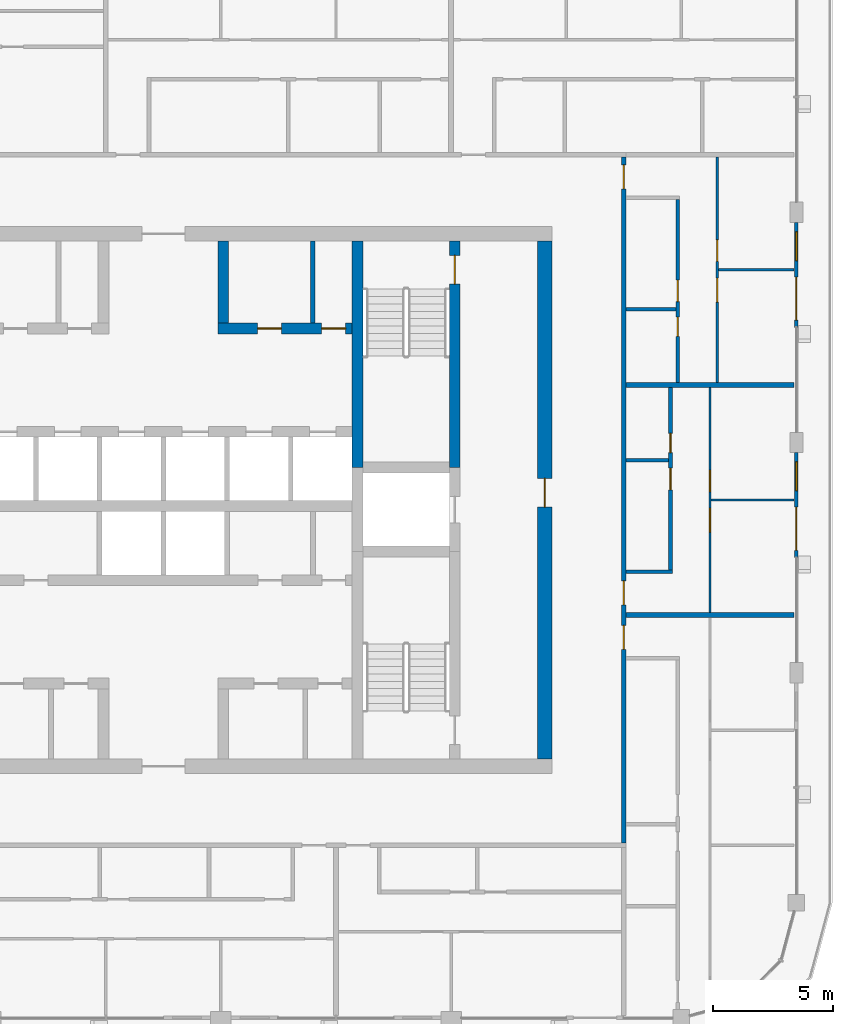
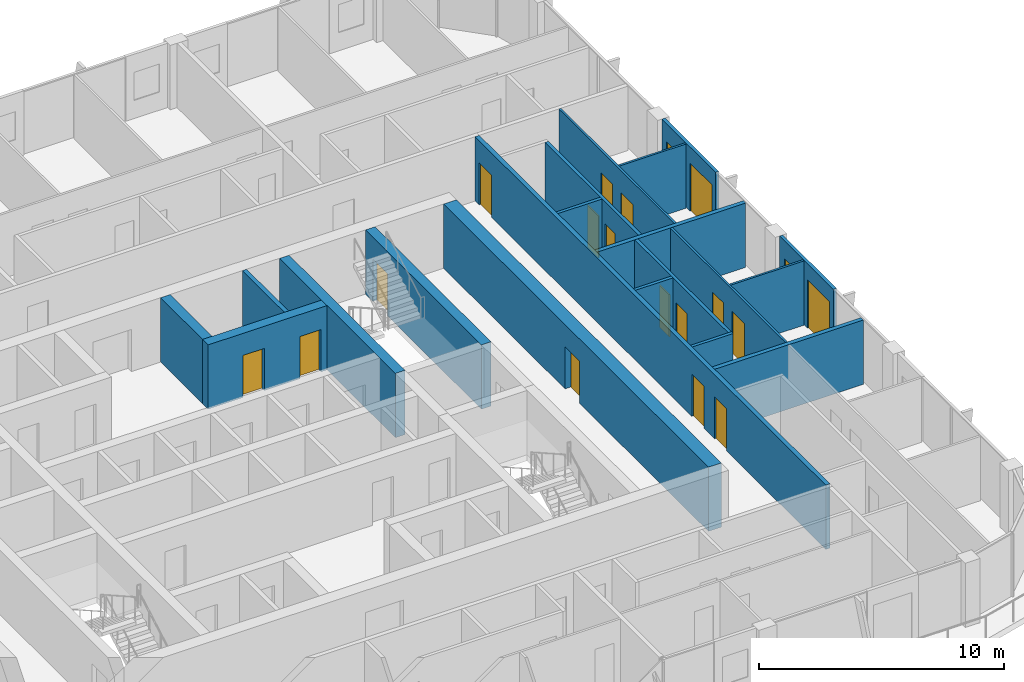
# One storey, part 13 of 22: 20 walls, 17 doors, 2 windows, 19 openings.
"""IFC4 building model written with IfcOpenShell, lengths in metres."""

from ifc_helpers import new_model, si_unit, direction, frame, frame_2d, origin, place, context, subcontext, project, spatial, rectangle, extrude, material, layer, layer_set, type_object, element, fill, save


model = new_model("IFC4")

# Units and contexts
model_context = context("Model", 3, precision=1e-05, world=origin(), true_north=direction((0.0, 1.0)))
body_context = subcontext(model_context, "Body", "Model", "MODEL_VIEW")
ifc_project = project(units=[si_unit("LENGTHUNIT", "METRE"), si_unit("AREAUNIT", "SQUARE_METRE"), si_unit("VOLUMEUNIT", "CUBIC_METRE"), si_unit("PLANEANGLEUNIT", "RADIAN"), si_unit("MASSUNIT", "GRAM", prefix="KILO")], contexts=[model_context])

# Site, building, storey
site_placement = place(None, origin())
site = spatial("IfcSite", under=ifc_project, at=site_placement, CompositionType="ELEMENT")
building_placement = place(site_placement, origin())
building = spatial("IfcBuilding", under=site, at=building_placement, Name="Madar Terraces", CompositionType="ELEMENT")
storey_placement = place(building_placement, frame((0.0, 0.0, 249.199951171875)))
storey = spatial("IfcBuildingStorey", under=building, at=storey_placement, Name="L65", CompositionType="ELEMENT", Elevation=249.199951171875)

# Wall
ifc_material_1 = material(Name="Concrete C55/67", Category="concrete")
ifc_layer_1 = layer(ifc_material_1, 0.449951171875)
ifc_layer_set_1 = layer_set([ifc_layer_1], Name="Concrete C55/67 (CIW5 RC wall 450)")
wall_type_1 = type_object("IfcWallType", Name="CIW5 RC wall 450", PredefinedType="SHEAR", material=ifc_layer_set_1)
wall_1_placement = place(storey_placement, frame((39.300048828125, 27.75, 0.0), z_axis=(0.0, 0.0, 1.0), x_axis=(0.0, 1.0, 0.0)))
element("IfcWall", 1, at=wall_1_placement, inside=storey, type_object=wall_type_1, Name="CORE SHAFT WALL", PredefinedType="SHEAR", context=body_context, shape_type="SweptSolid", body=[
    extrude(rectangle(XDim=9.449951171875, YDim=0.449951171875, at=frame_2d((4.72509765625, 0.0))), origin(), (0.0, 0.0, 1.0), 3.199951171875),
])

# Wall, opening, door
wall_2_placement = place(storey_placement, frame((43.35009765625, 27.75, 0.0), z_axis=(0.0, 0.0, 1.0), x_axis=(0.0, 1.0, 0.0)))
wall_2 = element("IfcWall", 2, at=wall_2_placement, inside=storey, type_object=wall_type_1, Name="CORE SHAFT WALL", PredefinedType="SHEAR", context=body_context, shape_type="SweptSolid", body=[
    extrude(rectangle(XDim=9.449951171875, YDim=0.449951171875, at=frame_2d((4.72509765625, 0.0))), origin(), (0.0, 0.0, 1.0), 3.199951171875),
])
opening_1_placement = place(wall_2_placement, frame((7.64990234375, 0.0, 0.0)))
opening_1 = element("IfcOpeningElement", 3, at=opening_1_placement, cuts=wall_2, Name="Opening SD1", PredefinedType="OPENING", context=body_context, shape_type="SweptSolid", body=[
    extrude(rectangle(XDim=1.199951171875, YDim=2.10009765625, at=frame_2d((0.60009765625, 1.050048828125))), frame((0.0, 0.23486328125, 0.0), z_axis=(0.0, -1.0, 0.0), x_axis=(1.0, 0.0, 0.0)), (0.0, 0.0, 1.0), 0.469970703125),
])
ifc_material_2 = material(Name="Steel door leaf", Category="steel")
door_type_1 = type_object("IfcDoorType", Name="Stair door 1200 x 2100", OperationType="NOTDEFINED", PredefinedType="DOOR", material=ifc_material_2)
door_1_placement = place(opening_1_placement, origin())
door_1 = element("IfcDoor", 4, at=door_1_placement, inside=storey, type_object=door_type_1, Name="STAIR DOOR", OperationType="SINGLE_SWING_LEFT", OverallHeight=2.10009765625, OverallWidth=1.199951171875, PredefinedType="DOOR", context=body_context, shape_type="SweptSolid", body=[
    extrude(rectangle(XDim=1.199951171875, YDim=2.10009765625, at=frame_2d((0.60009765625, 1.050048828125))), frame((0.0, 0.02490234375, 0.0), z_axis=(0.0, -1.0, 0.0), x_axis=(1.0, 0.0, 0.0)), (0.0, 0.0, 1.0), 0.050048828125),
])
fill(opening_1, door_1)

# Wall, openings, doors
wall_3_placement = place(storey_placement, frame((33.47509765625, 33.550048828125, 0.0), z_axis=(0.0, 0.0, 1.0), x_axis=(1.0, 0.0, 0.0)))
wall_3 = element("IfcWall", 5, at=wall_3_placement, inside=storey, type_object=wall_type_1, Name="CORE SHAFT WALL", PredefinedType="SHEAR", context=body_context, shape_type="SweptSolid", body=[
    extrude(rectangle(XDim=5.599853515625, YDim=0.449951171875, at=frame_2d((2.7998046875, 0.0))), origin(), (0.0, 0.0, 1.0), 3.199951171875),
])
opening_2_placement = place(wall_3_placement, frame((1.65087890625, 0.0, 0.0)))
opening_2 = element("IfcOpeningElement", 6, at=opening_2_placement, cuts=wall_3, Name="Opening KD2", PredefinedType="OPENING", context=body_context, shape_type="SweptSolid", body=[
    extrude(rectangle(XDim=1.0, YDim=2.10009765625, at=frame_2d((0.5, 1.050048828125))), frame((0.0, 0.23486328125, 0.0), z_axis=(0.0, -1.0, 0.0), x_axis=(1.0, 0.0, 0.0)), (0.0, 0.0, 1.0), 0.469970703125),
])
opening_3_placement = place(wall_3_placement, frame((4.325927734375, 0.0, 0.0)))
opening_3 = element("IfcOpeningElement", 7, at=opening_3_placement, cuts=wall_3, Name="Opening KD2", PredefinedType="OPENING", context=body_context, shape_type="SweptSolid", body=[
    extrude(rectangle(XDim=1.0, YDim=2.10009765625, at=frame_2d((0.5, 1.050048828125))), frame((0.0, 0.23486328125, 0.0), z_axis=(0.0, -1.0, 0.0), x_axis=(1.0, 0.0, 0.0)), (0.0, 0.0, 1.0), 0.469970703125),
])
ifc_material_3 = material(Name="Steel door leaf", Category="steel")
door_type_2 = type_object("IfcDoorType", Name="Service room door 1000 x 2100", OperationType="NOTDEFINED", PredefinedType="DOOR", material=ifc_material_3)
door_2_placement = place(opening_2_placement, frame((1.0, 0.0, 0.0), z_axis=(0.0, 0.0, 1.0), x_axis=(-1.0, 0.0, 0.0)))
door_2 = element("IfcDoor", 8, at=door_2_placement, inside=storey, type_object=door_type_2, Name="SERVICE ROOM DOOR", OperationType="SINGLE_SWING_LEFT", OverallHeight=2.10009765625, OverallWidth=1.0, PredefinedType="DOOR", context=body_context, shape_type="SweptSolid", body=[
    extrude(rectangle(XDim=1.0, YDim=2.10009765625, at=frame_2d((0.5, 1.050048828125))), frame((0.0, 0.02490234375, 0.0), z_axis=(0.0, -1.0, 0.0), x_axis=(1.0, 0.0, 0.0)), (0.0, 0.0, 1.0), 0.050048828125),
])
fill(opening_2, door_2)
door_3_placement = place(opening_3_placement, frame((1.0, 0.0, 0.0), z_axis=(0.0, 0.0, 1.0), x_axis=(-1.0, 0.0, 0.0)))
door_3 = element("IfcDoor", 9, at=door_3_placement, inside=storey, type_object=door_type_2, Name="SERVICE ROOM DOOR", OperationType="SINGLE_SWING_RIGHT", OverallHeight=2.10009765625, OverallWidth=1.0, PredefinedType="DOOR", context=body_context, shape_type="SweptSolid", body=[
    extrude(rectangle(XDim=1.0, YDim=2.10009765625, at=frame_2d((0.5, 1.050048828125))), frame((0.0, 0.02490234375, 0.0), z_axis=(0.0, -1.0, 0.0), x_axis=(1.0, 0.0, 0.0)), (0.0, 0.0, 1.0), 0.050048828125),
])
fill(opening_3, door_3)

# Wall
wall_4_placement = place(storey_placement, frame((33.699951171875, 33.77490234375, 0.0), z_axis=(0.0, 0.0, 1.0), x_axis=(0.0, 1.0, 0.0)))
element("IfcWall", 10, at=wall_4_placement, inside=storey, type_object=wall_type_1, Name="CORE SHAFT WALL", PredefinedType="SHEAR", context=body_context, shape_type="SweptSolid", body=[
    extrude(rectangle(XDim=3.425048828125, YDim=0.449951171875, at=frame_2d((1.71240234375, 0.0))), origin(), (0.0, 0.0, 1.0), 3.199951171875),
])

# Wall, opening, door
ifc_material_4 = material(Name="Concrete C55/67", Category="concrete")
ifc_layer_2 = layer(ifc_material_4, 0.60009765625)
ifc_layer_set_2 = layer_set([ifc_layer_2], Name="Concrete C55/67 (CRW5 RC wall 600)")
wall_type_2 = type_object("IfcWallType", Name="CRW5 RC wall 600", PredefinedType="SHEAR", material=ifc_layer_set_2)
wall_5_placement = place(storey_placement, frame((47.10009765625, 15.60009765625, 0.0), z_axis=(0.0, 0.0, 1.0), x_axis=(0.0, 1.0, 0.0)))
wall_5 = element("IfcWall", 11, at=wall_5_placement, inside=storey, type_object=wall_type_2, Name="CORE OUTER WALL", PredefinedType="SHEAR", context=body_context, shape_type="SweptSolid", body=[
    extrude(rectangle(XDim=21.599853515625, YDim=0.60009765625, at=frame_2d((10.7998046875, 0.0))), origin(), (0.0, 0.0, 1.0), 3.199951171875),
])
opening_4_placement = place(wall_5_placement, frame((10.5, 0.0, 0.0)))
opening_4 = element("IfcOpeningElement", 12, at=opening_4_placement, cuts=wall_5, Name="Opening SD1", PredefinedType="OPENING", context=body_context, shape_type="SweptSolid", body=[
    extrude(rectangle(XDim=1.199951171875, YDim=2.10009765625, at=frame_2d((0.60009765625, 1.050048828125))), frame((0.0, 0.31005859375, 0.0), z_axis=(0.0, -1.0, 0.0), x_axis=(1.0, 0.0, 0.0)), (0.0, 0.0, 1.0), 0.6201171875),
])
door_4_placement = place(opening_4_placement, origin())
door_4 = element("IfcDoor", 13, at=door_4_placement, inside=storey, type_object=door_type_1, Name="STAIR DOOR", OperationType="SINGLE_SWING_LEFT", OverallHeight=2.10009765625, OverallWidth=1.199951171875, PredefinedType="DOOR", context=body_context, shape_type="SweptSolid", body=[
    extrude(rectangle(XDim=1.199951171875, YDim=2.10009765625, at=frame_2d((0.60009765625, 1.050048828125))), frame((0.0, 0.02490234375, 0.0), z_axis=(0.0, -1.0, 0.0), x_axis=(1.0, 0.0, 0.0)), (0.0, 0.0, 1.0), 0.050048828125),
])
fill(opening_4, door_4)

# Wall
ifc_material_5 = material(Name="Masonry blockwork", Category="masonry")
ifc_layer_3 = layer(ifc_material_5, 0.199951171875)
ifc_layer_set_3 = layer_set([ifc_layer_3], Name="Core partition 200 blockwork")
wall_type_3 = type_object("IfcWallType", Name="Core partition 200 blockwork", PredefinedType="PARTITIONING", material=ifc_layer_set_3)
wall_6_placement = place(storey_placement, frame((37.427001953125, 33.77490234375, 0.0), z_axis=(0.0, 0.0, 1.0), x_axis=(0.0, 1.0, 0.0)))
element("IfcWall", 14, at=wall_6_placement, inside=storey, type_object=wall_type_3, Name="SERVICE ROOM PARTITION", PredefinedType="PARTITIONING", context=body_context, shape_type="SweptSolid", body=[
    extrude(rectangle(XDim=3.425048828125, YDim=0.199951171875, at=frame_2d((1.71240234375, 0.0))), origin(), (0.0, 0.0, 1.0), 3.199951171875),
])

# Wall, openings, door, window
ifc_material_6 = material(Name="Aluminium composite panel, black, over insulated backing", Category="aluminium")
ifc_layer_4 = layer(ifc_material_6, 0.14990234375)
ifc_layer_set_4 = layer_set([ifc_layer_4], Name="Facade bay panel 150")
wall_type_4 = type_object("IfcWallType", Name="Facade bay panel 150", PredefinedType="SOLIDWALL", material=ifc_layer_set_4)
wall_7_placement = place(storey_placement, frame((57.60009765625, 24.0, 0.0), z_axis=(0.0, 0.0, 1.0), x_axis=(0.0, 1.0, 0.0)))
wall_7 = element("IfcWall", 15, at=wall_7_placement, inside=storey, type_object=wall_type_4, Name="Facade bay panel", PredefinedType="SOLIDWALL", context=body_context, shape_type="SweptSolid", body=[
    extrude(rectangle(XDim=4.375, YDim=0.14990234375, at=frame_2d((2.1875, 0.0))), origin(), (0.0, 0.0, 1.0), 3.199951171875),
])
opening_5_placement = place(wall_7_placement, frame((0.300048828125, 0.0, 0.0)))
opening_5 = element("IfcOpeningElement", 16, at=opening_5_placement, cuts=wall_7, Name="Opening ED1", PredefinedType="OPENING", context=body_context, shape_type="SweptSolid", body=[
    extrude(rectangle(XDim=1.800048828125, YDim=2.39990234375, at=frame_2d((0.89990234375, 1.199951171875))), frame((0.0, 0.0849609375, 0.0), z_axis=(0.0, -1.0, 0.0), x_axis=(1.0, 0.0, 0.0)), (0.0, 0.0, 1.0), 0.169921875),
])
opening_6_placement = place(wall_7_placement, frame((2.78759765625, 0.0, 0.89990234375)))
opening_6 = element("IfcOpeningElement", 17, at=opening_6_placement, cuts=wall_7, Name="Opening W1", PredefinedType="OPENING", context=body_context, shape_type="SweptSolid", body=[
    extrude(rectangle(XDim=1.199951171875, YDim=1.39990234375, at=frame_2d((0.60009765625, 0.699951171875))), frame((0.0, 0.0849609375, 0.0), z_axis=(0.0, -1.0, 0.0), x_axis=(1.0, 0.0, 0.0)), (0.0, 0.0, 1.0), 0.169921875),
])
ifc_material_7 = material(Name="Glass, clear, with black aluminium frame", Category="aluminium")
door_type_3 = type_object("IfcDoorType", Name="Balcony and terrace sliding door 1800 x 2400", OperationType="SLIDING_TO_LEFT", PredefinedType="DOOR", material=ifc_material_7)
door_5_placement = place(opening_5_placement, origin())
door_5 = element("IfcDoor", 18, at=door_5_placement, inside=storey, type_object=door_type_3, Name="Balcony door", OperationType="SLIDING_TO_LEFT", OverallHeight=2.39990234375, OverallWidth=1.800048828125, PredefinedType="DOOR", context=body_context, shape_type="SweptSolid", body=[
    extrude(rectangle(XDim=1.800048828125, YDim=2.39990234375, at=frame_2d((0.89990234375, 1.199951171875))), frame((0.0, 0.02490234375, 0.0), z_axis=(0.0, -1.0, 0.0), x_axis=(1.0, 0.0, 0.0)), (0.0, 0.0, 1.0), 0.050048828125),
])
fill(opening_5, door_5)
ifc_material_8 = material(Name="Glass, clear, with black aluminium frame", Category="aluminium")
window_type = type_object("IfcWindowType", Name="Vent window 1200 x 1400", PartitioningType="SINGLE_PANEL", PredefinedType="WINDOW", material=ifc_material_8)
window_1_placement = place(opening_6_placement, origin())
window_1 = element("IfcWindow", 19, at=window_1_placement, inside=storey, type_object=window_type, Name="Operable vent window", OverallHeight=1.39990234375, OverallWidth=1.199951171875, PartitioningType="SINGLE_PANEL", PredefinedType="WINDOW", context=body_context, shape_type="SweptSolid", body=[
    extrude(rectangle(XDim=1.199951171875, YDim=1.39990234375, at=frame_2d((0.60009765625, 0.699951171875))), frame((0.0, 0.030029296875, 0.0), z_axis=(0.0, -1.0, 0.0), x_axis=(1.0, 0.0, 0.0)), (0.0, 0.0, 1.0), 0.06005859375),
])
fill(opening_6, window_1)

wall_8_placement = place(storey_placement, frame((57.60009765625, 33.60009765625, 0.0), z_axis=(0.0, 0.0, 1.0), x_axis=(0.0, 1.0, 0.0)))
wall_8 = element("IfcWall", 20, at=wall_8_placement, inside=storey, type_object=wall_type_4, Name="Facade bay panel", PredefinedType="SOLIDWALL", context=body_context, shape_type="SweptSolid", body=[
    extrude(rectangle(XDim=4.375, YDim=0.14990234375, at=frame_2d((2.1875, 0.0))), origin(), (0.0, 0.0, 1.0), 3.199951171875),
])
opening_7_placement = place(wall_8_placement, frame((0.300048828125, 0.0, 0.0)))
opening_7 = element("IfcOpeningElement", 21, at=opening_7_placement, cuts=wall_8, Name="Opening ED1", PredefinedType="OPENING", context=body_context, shape_type="SweptSolid", body=[
    extrude(rectangle(XDim=1.800048828125, YDim=2.39990234375, at=frame_2d((0.89990234375, 1.199951171875))), frame((0.0, 0.0849609375, 0.0), z_axis=(0.0, -1.0, 0.0), x_axis=(1.0, 0.0, 0.0)), (0.0, 0.0, 1.0), 0.169921875),
])
opening_8_placement = place(wall_8_placement, frame((2.78759765625, 0.0, 0.89990234375)))
opening_8 = element("IfcOpeningElement", 22, at=opening_8_placement, cuts=wall_8, Name="Opening W1", PredefinedType="OPENING", context=body_context, shape_type="SweptSolid", body=[
    extrude(rectangle(XDim=1.199951171875, YDim=1.39990234375, at=frame_2d((0.60009765625, 0.699951171875))), frame((0.0, 0.0849609375, 0.0), z_axis=(0.0, -1.0, 0.0), x_axis=(1.0, 0.0, 0.0)), (0.0, 0.0, 1.0), 0.169921875),
])
door_6_placement = place(opening_7_placement, origin())
door_6 = element("IfcDoor", 23, at=door_6_placement, inside=storey, type_object=door_type_3, Name="Balcony door", OperationType="SLIDING_TO_RIGHT", OverallHeight=2.39990234375, OverallWidth=1.800048828125, PredefinedType="DOOR", context=body_context, shape_type="SweptSolid", body=[
    extrude(rectangle(XDim=1.800048828125, YDim=2.39990234375, at=frame_2d((0.89990234375, 1.199951171875))), frame((0.0, 0.02490234375, 0.0), z_axis=(0.0, -1.0, 0.0), x_axis=(1.0, 0.0, 0.0)), (0.0, 0.0, 1.0), 0.050048828125),
])
fill(opening_7, door_6)
window_2_placement = place(opening_8_placement, origin())
window_2 = element("IfcWindow", 24, at=window_2_placement, inside=storey, type_object=window_type, Name="Operable vent window", OverallHeight=1.39990234375, OverallWidth=1.199951171875, PartitioningType="SINGLE_PANEL", PredefinedType="WINDOW", context=body_context, shape_type="SweptSolid", body=[
    extrude(rectangle(XDim=1.199951171875, YDim=1.39990234375, at=frame_2d((0.60009765625, 0.699951171875))), frame((0.0, 0.030029296875, 0.0), z_axis=(0.0, -1.0, 0.0), x_axis=(1.0, 0.0, 0.0)), (0.0, 0.0, 1.0), 0.06005859375),
])
fill(opening_8, window_2)

# Wall
ifc_material_9 = material(Name="Gypsum board on steel studs", Category="steel")
ifc_layer_5 = layer(ifc_material_9, 0.10009765625)
ifc_layer_set_5 = layer_set([ifc_layer_5], Name="Flat partition 100")
wall_type_5 = type_object("IfcWallType", Name="Flat partition 100", PredefinedType="PARTITIONING", material=ifc_layer_set_5)
wall_9_placement = place(storey_placement, frame((54.050048828125, 26.39990234375, 0.0), z_axis=(0.0, 0.0, 1.0), x_axis=(1.0, 0.0, 0.0)))
element("IfcWall", 25, at=wall_9_placement, inside=storey, type_object=wall_type_5, Name="Flat partition 100", PredefinedType="PARTITIONING", context=body_context, shape_type="SweptSolid", body=[
    extrude(rectangle(XDim=3.449951171875, YDim=0.10009765625, at=frame_2d((1.72509765625, 0.0))), origin(), (0.0, 0.0, 1.0), 3.199951171875),
])

# Wall, openings, doors
wall_10_placement = place(storey_placement, frame((54.0, 31.10009765625, 0.0), z_axis=(0.0, 0.0, 1.0), x_axis=(0.0, -1.0, 0.0)))
wall_10 = element("IfcWall", 26, at=wall_10_placement, inside=storey, type_object=wall_type_5, Name="Flat partition 100", PredefinedType="PARTITIONING", context=body_context, shape_type="SweptSolid", body=[
    extrude(rectangle(XDim=9.400146484375, YDim=0.10009765625, at=frame_2d((4.7001953125, 0.0))), origin(), (0.0, 0.0, 1.0), 3.199951171875),
])
opening_9_placement = place(wall_10_placement, frame((5.050048828125, 0.0, 0.0)))
opening_9 = element("IfcOpeningElement", 27, at=opening_9_placement, cuts=wall_10, Name="Opening D3", PredefinedType="OPENING", context=body_context, shape_type="SweptSolid", body=[
    extrude(rectangle(XDim=1.0, YDim=2.10009765625, at=frame_2d((0.5, 1.050048828125))), frame((0.0, 0.06005859375, 0.0), z_axis=(0.0, -1.0, 0.0), x_axis=(1.0, 0.0, 0.0)), (0.0, 0.0, 1.0), 0.1201171875),
])
opening_10_placement = place(wall_10_placement, frame((3.449951171875, 0.0, 0.0)))
opening_10 = element("IfcOpeningElement", 28, at=opening_10_placement, cuts=wall_10, Name="Opening D2", PredefinedType="OPENING", context=body_context, shape_type="SweptSolid", body=[
    extrude(rectangle(XDim=0.89990234375, YDim=2.10009765625, at=frame_2d((0.449951171875, 1.050048828125))), frame((0.0, 0.06005859375, 0.0), z_axis=(0.0, -1.0, 0.0), x_axis=(1.0, 0.0, 0.0)), (0.0, 0.0, 1.0), 0.1201171875),
])
ifc_material_10 = material(Name="Timber door leaf", Category="wood")
door_type_4 = type_object("IfcDoorType", Name="Flat living room door 1000", OperationType="NOTDEFINED", PredefinedType="DOOR", material=ifc_material_10)
door_7_placement = place(opening_9_placement, origin())
door_7 = element("IfcDoor", 29, at=door_7_placement, inside=storey, type_object=door_type_4, Name="Flat living room door 1000", OperationType="SINGLE_SWING_LEFT", OverallHeight=2.10009765625, OverallWidth=1.0, PredefinedType="DOOR", context=body_context, shape_type="SweptSolid", body=[
    extrude(rectangle(XDim=1.0, YDim=2.10009765625, at=frame_2d((0.5, 1.050048828125))), frame((0.0, 0.02490234375, 0.0), z_axis=(0.0, -1.0, 0.0), x_axis=(1.0, 0.0, 0.0)), (0.0, 0.0, 1.0), 0.050048828125),
])
fill(opening_9, door_7)
ifc_material_11 = material(Name="Timber door leaf", Category="wood")
door_type_5 = type_object("IfcDoorType", Name="Flat room door 900", OperationType="NOTDEFINED", PredefinedType="DOOR", material=ifc_material_11)
door_8_placement = place(opening_10_placement, origin())
door_8 = element("IfcDoor", 30, at=door_8_placement, inside=storey, type_object=door_type_5, Name="Flat room door 900", OperationType="SINGLE_SWING_RIGHT", OverallHeight=2.10009765625, OverallWidth=0.89990234375, PredefinedType="DOOR", context=body_context, shape_type="SweptSolid", body=[
    extrude(rectangle(XDim=0.89990234375, YDim=2.10009765625, at=frame_2d((0.449951171875, 1.050048828125))), frame((0.0, 0.02490234375, 0.0), z_axis=(0.0, -1.0, 0.0), x_axis=(1.0, 0.0, 0.0)), (0.0, 0.0, 1.0), 0.050048828125),
])
fill(opening_10, door_8)

# Wall
wall_11_placement = place(storey_placement, frame((54.35009765625, 36.0, 0.0), z_axis=(0.0, 0.0, 1.0), x_axis=(1.0, 0.0, 0.0)))
element("IfcWall", 31, at=wall_11_placement, inside=storey, type_object=wall_type_5, Name="Flat partition 100", PredefinedType="PARTITIONING", context=body_context, shape_type="SweptSolid", body=[
    extrude(rectangle(XDim=3.14990234375, YDim=0.10009765625, at=frame_2d((1.574951171875, 0.0))), origin(), (0.0, 0.0, 1.0), 3.199951171875),
])

# Wall, openings, doors
wall_12_placement = place(storey_placement, frame((54.300048828125, 40.699951171875, 0.0), z_axis=(0.0, 0.0, 1.0), x_axis=(0.0, -1.0, 0.0)))
wall_12 = element("IfcWall", 32, at=wall_12_placement, inside=storey, type_object=wall_type_5, Name="Flat partition 100", PredefinedType="PARTITIONING", context=body_context, shape_type="SweptSolid", body=[
    extrude(rectangle(XDim=9.39990234375, YDim=0.10009765625, at=frame_2d((4.699951171875, 0.0))), origin(), (0.0, 0.0, 1.0), 3.199951171875),
])
opening_11_placement = place(wall_12_placement, frame((3.449951171875, 0.0, 0.0)))
opening_11 = element("IfcOpeningElement", 33, at=opening_11_placement, cuts=wall_12, Name="Opening D2", PredefinedType="OPENING", context=body_context, shape_type="SweptSolid", body=[
    extrude(rectangle(XDim=0.89990234375, YDim=2.10009765625, at=frame_2d((0.449951171875, 1.050048828125))), frame((0.0, 0.06005859375, 0.0), z_axis=(0.0, -1.0, 0.0), x_axis=(1.0, 0.0, 0.0)), (0.0, 0.0, 1.0), 0.1201171875),
])
opening_12_placement = place(wall_12_placement, frame((5.050048828125, 0.0, 0.0)))
opening_12 = element("IfcOpeningElement", 34, at=opening_12_placement, cuts=wall_12, Name="Opening D3", PredefinedType="OPENING", context=body_context, shape_type="SweptSolid", body=[
    extrude(rectangle(XDim=1.0, YDim=2.10009765625, at=frame_2d((0.5, 1.050048828125))), frame((0.0, 0.06005859375, 0.0), z_axis=(0.0, -1.0, 0.0), x_axis=(1.0, 0.0, 0.0)), (0.0, 0.0, 1.0), 0.1201171875),
])
door_9_placement = place(opening_12_placement, origin())
door_9 = element("IfcDoor", 35, at=door_9_placement, inside=storey, type_object=door_type_4, Name="Flat living room door 1000", OperationType="SINGLE_SWING_LEFT", OverallHeight=2.10009765625, OverallWidth=1.0, PredefinedType="DOOR", context=body_context, shape_type="SweptSolid", body=[
    extrude(rectangle(XDim=1.0, YDim=2.10009765625, at=frame_2d((0.5, 1.050048828125))), frame((0.0, 0.02490234375, 0.0), z_axis=(0.0, -1.0, 0.0), x_axis=(1.0, 0.0, 0.0)), (0.0, 0.0, 1.0), 0.050048828125),
])
fill(opening_12, door_9)
door_10_placement = place(opening_11_placement, origin())
door_10 = element("IfcDoor", 36, at=door_10_placement, inside=storey, type_object=door_type_5, Name="Flat room door 900", OperationType="SINGLE_SWING_RIGHT", OverallHeight=2.10009765625, OverallWidth=0.89990234375, PredefinedType="DOOR", context=body_context, shape_type="SweptSolid", body=[
    extrude(rectangle(XDim=0.89990234375, YDim=2.10009765625, at=frame_2d((0.449951171875, 1.050048828125))), frame((0.0, 0.02490234375, 0.0), z_axis=(0.0, -1.0, 0.0), x_axis=(1.0, 0.0, 0.0)), (0.0, 0.0, 1.0), 0.050048828125),
])
fill(opening_11, door_10)

ifc_material_12 = material(Name="Lightweight blockwork", Category="masonry")
ifc_layer_6 = layer(ifc_material_12, 0.199951171875)
ifc_layer_set_6 = layer_set([ifc_layer_6], Name="Flat party and entrance wall 200")
wall_type_6 = type_object("IfcWallType", Name="Flat party and entrance wall 200", PredefinedType="PARTITIONING", material=ifc_layer_set_6)
wall_13_placement = place(storey_placement, frame((50.39990234375, 40.699951171875, 0.0), z_axis=(0.0, 0.0, 1.0), x_axis=(0.0, -1.0, 0.0)))
wall_13 = element("IfcWall", 37, at=wall_13_placement, inside=storey, type_object=wall_type_6, Name="Flat party and entrance wall 200", PredefinedType="PARTITIONING", context=body_context, shape_type="SweptSolid", body=[
    extrude(rectangle(XDim=28.599853515625, YDim=0.199951171875, at=frame_2d((14.2998046875, 0.0))), origin(), (0.0, 0.0, 1.0), 3.199951171875),
])
opening_13_placement = place(wall_13_placement, frame((19.52490234375, 0.0, 0.0)))
opening_13 = element("IfcOpeningElement", 38, at=opening_13_placement, cuts=wall_13, Name="Opening D1", PredefinedType="OPENING", context=body_context, shape_type="SweptSolid", body=[
    extrude(rectangle(XDim=1.0, YDim=2.10009765625, at=frame_2d((0.5, 1.050048828125))), frame((0.0, 0.10986328125, 0.0), z_axis=(0.0, -1.0, 0.0), x_axis=(1.0, 0.0, 0.0)), (0.0, 0.0, 1.0), 0.219970703125),
])
opening_14_placement = place(wall_13_placement, frame((17.675048828125, 0.0, 0.0)))
opening_14 = element("IfcOpeningElement", 39, at=opening_14_placement, cuts=wall_13, Name="Opening D1", PredefinedType="OPENING", context=body_context, shape_type="SweptSolid", body=[
    extrude(rectangle(XDim=1.0, YDim=2.10009765625, at=frame_2d((0.5, 1.050048828125))), frame((0.0, 0.10986328125, 0.0), z_axis=(0.0, -1.0, 0.0), x_axis=(1.0, 0.0, 0.0)), (0.0, 0.0, 1.0), 0.219970703125),
])
opening_15_placement = place(wall_13_placement, frame((0.324951171875, 0.0, 0.0)))
opening_15 = element("IfcOpeningElement", 40, at=opening_15_placement, cuts=wall_13, Name="Opening D1", PredefinedType="OPENING", context=body_context, shape_type="SweptSolid", body=[
    extrude(rectangle(XDim=1.0, YDim=2.10009765625, at=frame_2d((0.5, 1.050048828125))), frame((0.0, 0.10986328125, 0.0), z_axis=(0.0, -1.0, 0.0), x_axis=(1.0, 0.0, 0.0)), (0.0, 0.0, 1.0), 0.219970703125),
])
ifc_material_13 = material(Name="Timber fire door leaf", Category="wood")
door_type_6 = type_object("IfcDoorType", Name="Flat entrance door 1000 FD30S", OperationType="NOTDEFINED", PredefinedType="DOOR", material=ifc_material_13)
door_11_placement = place(opening_13_placement, origin())
door_11 = element("IfcDoor", 41, at=door_11_placement, inside=storey, type_object=door_type_6, Name="Flat entrance door 1000 FD30S", OperationType="SINGLE_SWING_LEFT", OverallHeight=2.10009765625, OverallWidth=1.0, PredefinedType="DOOR", context=body_context, shape_type="SweptSolid", body=[
    extrude(rectangle(XDim=1.0, YDim=2.10009765625, at=frame_2d((0.5, 1.050048828125))), frame((0.0, 0.02490234375, 0.0), z_axis=(0.0, -1.0, 0.0), x_axis=(1.0, 0.0, 0.0)), (0.0, 0.0, 1.0), 0.050048828125),
])
fill(opening_13, door_11)
door_12_placement = place(opening_14_placement, origin())
door_12 = element("IfcDoor", 42, at=door_12_placement, inside=storey, type_object=door_type_6, Name="Flat entrance door 1000 FD30S", OperationType="SINGLE_SWING_RIGHT", OverallHeight=2.10009765625, OverallWidth=1.0, PredefinedType="DOOR", context=body_context, shape_type="SweptSolid", body=[
    extrude(rectangle(XDim=1.0, YDim=2.10009765625, at=frame_2d((0.5, 1.050048828125))), frame((0.0, 0.02490234375, 0.0), z_axis=(0.0, -1.0, 0.0), x_axis=(1.0, 0.0, 0.0)), (0.0, 0.0, 1.0), 0.050048828125),
])
fill(opening_14, door_12)
door_13_placement = place(opening_15_placement, origin())
door_13 = element("IfcDoor", 43, at=door_13_placement, inside=storey, type_object=door_type_6, Name="Flat entrance door 1000 FD30S", OperationType="SINGLE_SWING_LEFT", OverallHeight=2.10009765625, OverallWidth=1.0, PredefinedType="DOOR", context=body_context, shape_type="SweptSolid", body=[
    extrude(rectangle(XDim=1.0, YDim=2.10009765625, at=frame_2d((0.5, 1.050048828125))), frame((0.0, 0.02490234375, 0.0), z_axis=(0.0, -1.0, 0.0), x_axis=(1.0, 0.0, 0.0)), (0.0, 0.0, 1.0), 0.050048828125),
])
fill(opening_15, door_13)

# Walls
for number, where, z_axis, x_axis, name in (
    (44, (50.5, 21.60009765625, 0.0), (0.0, 0.0, 1.0), (1.0, 0.0, 0.0), "Flat party and entrance wall 200"),
    (45, (50.5, 31.199951171875, 0.0), (0.0, 0.0, 1.0), (1.0, 0.0, 0.0), "Flat party and entrance wall 200"),
):
    element("IfcWall", number, at=place(storey_placement, frame(where, z_axis=z_axis, x_axis=x_axis)), inside=storey, type_object=wall_type_6, Name=name, PredefinedType="PARTITIONING", context=body_context, shape_type="SweptSolid", body=[
        extrude(rectangle(XDim=7.0, YDim=0.199951171875, at=frame_2d((3.5, 0.0))), origin(), (0.0, 0.0, 1.0), 3.199951171875),
    ])
ifc_material_14 = material(Name="Lightweight blockwork", Category="masonry")
ifc_layer_7 = layer(ifc_material_14, 0.14990234375)
ifc_layer_set_7 = layer_set([ifc_layer_7], Name="Flat wet-room partition 150")
wall_type_7 = type_object("IfcWallType", Name="Flat wet-room partition 150", PredefinedType="PARTITIONING", material=ifc_layer_set_7)
wall_14_placement = place(storey_placement, frame((50.5, 28.050048828125, 0.0), z_axis=(0.0, 0.0, 1.0), x_axis=(1.0, 0.0, 0.0)))
element("IfcWall", 46, at=wall_14_placement, inside=storey, type_object=wall_type_7, Name="Flat wet-room partition 150", PredefinedType="PARTITIONING", context=body_context, shape_type="SweptSolid", body=[
    extrude(rectangle(XDim=1.77490234375, YDim=0.14990234375, at=frame_2d((0.887451171875, 0.0))), origin(), (0.0, 0.0, 1.0), 3.199951171875),
])
wall_15_placement = place(storey_placement, frame((50.5, 23.39990234375, 0.0), z_axis=(0.0, 0.0, 1.0), x_axis=(1.0, 0.0, 0.0)))
element("IfcWall", 47, at=wall_15_placement, inside=storey, type_object=wall_type_7, Name="Flat wet-room partition 150", PredefinedType="PARTITIONING", context=body_context, shape_type="SweptSolid", body=[
    extrude(rectangle(XDim=1.925048828125, YDim=0.14990234375, at=frame_2d((0.96240234375, 0.0))), origin(), (0.0, 0.0, 1.0), 3.199951171875),
])

# Wall, openings, doors
wall_16_placement = place(storey_placement, frame((52.35009765625, 23.47509765625, 0.0), z_axis=(0.0, 0.0, 1.0), x_axis=(0.0, 1.0, 0.0)))
wall_16 = element("IfcWall", 48, at=wall_16_placement, inside=storey, type_object=wall_type_7, Name="Flat wet-room partition 150", PredefinedType="PARTITIONING", context=body_context, shape_type="SweptSolid", body=[
    extrude(rectangle(XDim=7.625, YDim=0.14990234375, at=frame_2d((3.8125, 0.0))), origin(), (0.0, 0.0, 1.0), 3.199951171875),
])
opening_16_placement = place(wall_16_placement, frame((3.35009765625, 0.0, 0.0)))
opening_16 = element("IfcOpeningElement", 49, at=opening_16_placement, cuts=wall_16, Name="Opening D2", PredefinedType="OPENING", context=body_context, shape_type="SweptSolid", body=[
    extrude(rectangle(XDim=0.89990234375, YDim=2.10009765625, at=frame_2d((0.449951171875, 1.050048828125))), frame((0.0, 0.0849609375, 0.0), z_axis=(0.0, -1.0, 0.0), x_axis=(1.0, 0.0, 0.0)), (0.0, 0.0, 1.0), 0.169921875),
])
opening_17_placement = place(wall_16_placement, frame((4.89990234375, 0.0, 0.0)))
opening_17 = element("IfcOpeningElement", 50, at=opening_17_placement, cuts=wall_16, Name="Opening D4", PredefinedType="OPENING", context=body_context, shape_type="SweptSolid", body=[
    extrude(rectangle(XDim=0.800048828125, YDim=2.10009765625, at=frame_2d((0.39990234375, 1.050048828125))), frame((0.0, 0.0849609375, 0.0), z_axis=(0.0, -1.0, 0.0), x_axis=(1.0, 0.0, 0.0)), (0.0, 0.0, 1.0), 0.169921875),
])
ifc_material_15 = material(Name="Timber door leaf", Category="wood")
door_type_7 = type_object("IfcDoorType", Name="Flat bathroom door 800", OperationType="NOTDEFINED", PredefinedType="DOOR", material=ifc_material_15)
door_14_placement = place(opening_17_placement, origin())
door_14 = element("IfcDoor", 51, at=door_14_placement, inside=storey, type_object=door_type_7, Name="Flat bathroom door 800", OperationType="SINGLE_SWING_LEFT", OverallHeight=2.10009765625, OverallWidth=0.800048828125, PredefinedType="DOOR", context=body_context, shape_type="SweptSolid", body=[
    extrude(rectangle(XDim=0.800048828125, YDim=2.10009765625, at=frame_2d((0.39990234375, 1.050048828125))), frame((0.0, 0.02490234375, 0.0), z_axis=(0.0, -1.0, 0.0), x_axis=(1.0, 0.0, 0.0)), (0.0, 0.0, 1.0), 0.050048828125),
])
fill(opening_17, door_14)
door_15_placement = place(opening_16_placement, origin())
door_15 = element("IfcDoor", 52, at=door_15_placement, inside=storey, type_object=door_type_5, Name="Flat room door 900", OperationType="SINGLE_SWING_RIGHT", OverallHeight=2.10009765625, OverallWidth=0.89990234375, PredefinedType="DOOR", context=body_context, shape_type="SweptSolid", body=[
    extrude(rectangle(XDim=0.89990234375, YDim=2.10009765625, at=frame_2d((0.449951171875, 1.050048828125))), frame((0.0, 0.02490234375, 0.0), z_axis=(0.0, -1.0, 0.0), x_axis=(1.0, 0.0, 0.0)), (0.0, 0.0, 1.0), 0.050048828125),
])
fill(opening_16, door_15)

# Wall
wall_17_placement = place(storey_placement, frame((50.5, 34.35009765625, 0.0), z_axis=(0.0, 0.0, 1.0), x_axis=(1.0, 0.0, 0.0)))
element("IfcWall", 53, at=wall_17_placement, inside=storey, type_object=wall_type_7, Name="Flat wet-room partition 150", PredefinedType="PARTITIONING", context=body_context, shape_type="SweptSolid", body=[
    extrude(rectangle(XDim=2.074951171875, YDim=0.14990234375, at=frame_2d((1.03759765625, 0.0))), origin(), (0.0, 0.0, 1.0), 3.199951171875),
])

# Wall, openings, doors
wall_18_placement = place(storey_placement, frame((52.64990234375, 31.300048828125, 0.0), z_axis=(0.0, 0.0, 1.0), x_axis=(0.0, 1.0, 0.0)))
wall_18 = element("IfcWall", 54, at=wall_18_placement, inside=storey, type_object=wall_type_7, Name="Flat wet-room partition 150", PredefinedType="PARTITIONING", context=body_context, shape_type="SweptSolid", body=[
    extrude(rectangle(XDim=7.625, YDim=0.14990234375, at=frame_2d((3.8125, 0.0))), origin(), (0.0, 0.0, 1.0), 3.199951171875),
])
opening_18_placement = place(wall_18_placement, frame((3.375, 0.0, 0.0)))
opening_18 = element("IfcOpeningElement", 55, at=opening_18_placement, cuts=wall_18, Name="Opening D2", PredefinedType="OPENING", context=body_context, shape_type="SweptSolid", body=[
    extrude(rectangle(XDim=0.89990234375, YDim=2.10009765625, at=frame_2d((0.449951171875, 1.050048828125))), frame((0.0, 0.0849609375, 0.0), z_axis=(0.0, -1.0, 0.0), x_axis=(1.0, 0.0, 0.0)), (0.0, 0.0, 1.0), 0.169921875),
])
opening_19_placement = place(wall_18_placement, frame((1.925048828125, 0.0, 0.0)))
opening_19 = element("IfcOpeningElement", 56, at=opening_19_placement, cuts=wall_18, Name="Opening D4", PredefinedType="OPENING", context=body_context, shape_type="SweptSolid", body=[
    extrude(rectangle(XDim=0.800048828125, YDim=2.10009765625, at=frame_2d((0.39990234375, 1.050048828125))), frame((0.0, 0.0849609375, 0.0), z_axis=(0.0, -1.0, 0.0), x_axis=(1.0, 0.0, 0.0)), (0.0, 0.0, 1.0), 0.169921875),
])
door_16_placement = place(opening_19_placement, origin())
door_16 = element("IfcDoor", 57, at=door_16_placement, inside=storey, type_object=door_type_7, Name="Flat bathroom door 800", OperationType="SINGLE_SWING_RIGHT", OverallHeight=2.10009765625, OverallWidth=0.800048828125, PredefinedType="DOOR", context=body_context, shape_type="SweptSolid", body=[
    extrude(rectangle(XDim=0.800048828125, YDim=2.10009765625, at=frame_2d((0.39990234375, 1.050048828125))), frame((0.0, 0.02490234375, 0.0), z_axis=(0.0, -1.0, 0.0), x_axis=(1.0, 0.0, 0.0)), (0.0, 0.0, 1.0), 0.050048828125),
])
fill(opening_19, door_16)
door_17_placement = place(opening_18_placement, origin())
door_17 = element("IfcDoor", 58, at=door_17_placement, inside=storey, type_object=door_type_5, Name="Flat room door 900", OperationType="SINGLE_SWING_LEFT", OverallHeight=2.10009765625, OverallWidth=0.89990234375, PredefinedType="DOOR", context=body_context, shape_type="SweptSolid", body=[
    extrude(rectangle(XDim=0.89990234375, YDim=2.10009765625, at=frame_2d((0.449951171875, 1.050048828125))), frame((0.0, 0.02490234375, 0.0), z_axis=(0.0, -1.0, 0.0), x_axis=(1.0, 0.0, 0.0)), (0.0, 0.0, 1.0), 0.050048828125),
])
fill(opening_18, door_17)

save(model, "model.ifc")
